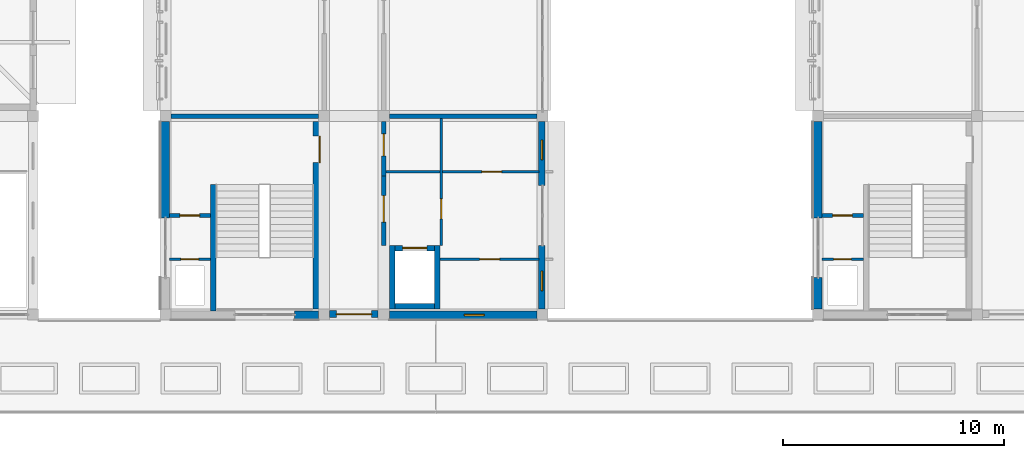
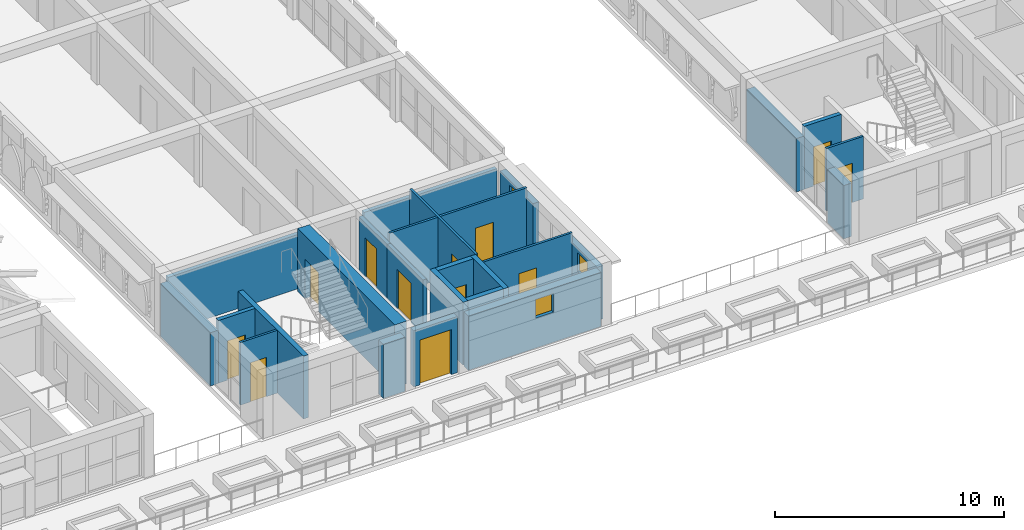
# One storey, part 45 of 82: 25 walls, 12 doors, 3 windows, 15 openings.
"""IFC4 building model written with IfcOpenShell, lengths in metres."""

from ifc_helpers import new_model, si_unit, direction, frame, frame_2d, origin, place, context, subcontext, project, spatial, rectangle, extrude, material, layer, layer_set, type_object, element, fill, save


model = new_model("IFC4")

# Units and contexts
model_context = context("Model", 3, precision=1e-05, world=origin(), true_north=direction((0.0, 1.0)))
body_context = subcontext(model_context, "Body", "Model", "MODEL_VIEW")
ifc_project = project(units=[si_unit("LENGTHUNIT", "METRE"), si_unit("AREAUNIT", "SQUARE_METRE"), si_unit("VOLUMEUNIT", "CUBIC_METRE"), si_unit("PLANEANGLEUNIT", "RADIAN"), si_unit("MASSUNIT", "GRAM", prefix="KILO")], contexts=[model_context])

# Site, building, storey
site_placement = place(None, origin())
site = spatial("IfcSite", under=ifc_project, at=site_placement, CompositionType="ELEMENT")
building_placement = place(site_placement, origin())
building = spatial("IfcBuilding", under=site, at=building_placement, Name="Elbe Cascade School", CompositionType="ELEMENT")
storey_placement = place(building_placement, frame((0.0, 0.0, 4.5)))
storey = spatial("IfcBuildingStorey", under=building, at=storey_placement, Name="L01", CompositionType="ELEMENT", Elevation=4.5)

# Wall, opening, door
ifc_material_1 = material(Name="Masonry - lime-sand block, plastered", Category="masonry")
ifc_layer_1 = layer(ifc_material_1, 0.199951171875)
ifc_layer_set_1 = layer_set([ifc_layer_1], Name="Masonry - lime-sand block, plastered")
wall_type_1 = type_object("IfcWallType", Name="Bar corridor wall lime-sand block 200 EI 30", PredefinedType="PARTITIONING", material=ifc_layer_set_1)
wall_1_placement = place(storey_placement, frame((78.89990234375, 12.300048828125, 0.0), z_axis=(0.0, 0.0, 1.0), x_axis=(0.0, -1.0, 0.0)))
wall_1 = element("IfcWall", 1, at=wall_1_placement, inside=storey, type_object=wall_type_1, Name="Bar corridor wall lime-sand block 200 EI 30", PredefinedType="PARTITIONING", context=body_context, shape_type="SweptSolid", body=[
    extrude(rectangle(XDim=3.150146484375, YDim=0.199951171875, at=frame_2d((1.5751953125, 0.0))), origin(), (0.0, 0.0, 1.0), 2.89990234375),
])
opening_1_placement = place(wall_1_placement, frame((0.89990234375, 0.0, 0.0)))
opening_1 = element("IfcOpeningElement", 2, at=opening_1_placement, cuts=wall_1, Name="Opening D1.006", PredefinedType="OPENING", context=body_context, shape_type="SweptSolid", body=[
    extrude(rectangle(XDim=1.199951171875, YDim=2.10009765625, at=frame_2d((0.60009765625, 1.050048828125))), frame((0.0, 0.10986328125, 0.0), z_axis=(0.0, -1.0, 0.0), x_axis=(1.0, 0.0, 0.0)), (0.0, 0.0, 1.0), 0.219970703125),
])
ifc_material_2 = material(Name="Timber door leaf, fire-resisting and smoke-tight, steel frame", Category="steel")
door_type_1 = type_object("IfcDoorType", Name="Bar door FD30S 1200x2100", OperationType="NOTDEFINED", PredefinedType="DOOR", material=ifc_material_2)
door_1_placement = place(opening_1_placement, origin())
door_1 = element("IfcDoor", 3, at=door_1_placement, inside=storey, type_object=door_type_1, Name="Door A1.06", OperationType="SINGLE_SWING_LEFT", OverallHeight=2.10009765625, OverallWidth=1.199951171875, PredefinedType="DOOR", context=body_context, shape_type="SweptSolid", body=[
    extrude(rectangle(XDim=1.199951171875, YDim=2.10009765625, at=frame_2d((0.60009765625, 1.050048828125))), frame((0.0, 0.02490234375, 0.0), z_axis=(0.0, -1.0, 0.0), x_axis=(1.0, 0.0, 0.0)), (0.0, 0.0, 1.0), 0.050048828125),
])
fill(opening_1, door_1)

wall_2_placement = place(storey_placement, frame((78.89990234375, 12.300048828125, 0.0), z_axis=(0.0, 0.0, 1.0), x_axis=(0.0, 1.0, 0.0)))
wall_2 = element("IfcWall", 4, at=wall_2_placement, inside=storey, type_object=wall_type_1, Name="Bar corridor wall lime-sand block 200 EI 30", PredefinedType="PARTITIONING", context=body_context, shape_type="SweptSolid", body=[
    extrude(rectangle(XDim=2.449951171875, YDim=0.199951171875, at=frame_2d((1.22509765625, 0.0))), origin(), (0.0, 0.0, 1.0), 2.89990234375),
])
opening_2_placement = place(wall_2_placement, frame((0.89990234375, 0.0, 0.0)))
opening_2 = element("IfcOpeningElement", 5, at=opening_2_placement, cuts=wall_2, Name="Opening D1.010", PredefinedType="OPENING", context=body_context, shape_type="SweptSolid", body=[
    extrude(rectangle(XDim=1.0, YDim=2.10009765625, at=frame_2d((0.5, 1.050048828125))), frame((0.0, 0.10986328125, 0.0), z_axis=(0.0, -1.0, 0.0), x_axis=(1.0, 0.0, 0.0)), (0.0, 0.0, 1.0), 0.219970703125),
])
ifc_material_3 = material(Name="Timber door leaf, fire-resisting, steel frame", Category="steel")
door_type_2 = type_object("IfcDoorType", Name="Bar door FD30 1000x2100", OperationType="NOTDEFINED", PredefinedType="DOOR", material=ifc_material_3)
door_2_placement = place(opening_2_placement, origin())
door_2 = element("IfcDoor", 6, at=door_2_placement, inside=storey, type_object=door_type_2, Name="Door A1.10", OperationType="SINGLE_SWING_RIGHT", OverallHeight=2.10009765625, OverallWidth=1.0, PredefinedType="DOOR", context=body_context, shape_type="SweptSolid", body=[
    extrude(rectangle(XDim=1.0, YDim=2.10009765625, at=frame_2d((0.5, 1.050048828125))), frame((0.0, 0.02490234375, 0.0), z_axis=(0.0, -1.0, 0.0), x_axis=(1.0, 0.0, 0.0)), (0.0, 0.0, 1.0), 0.050048828125),
])
fill(opening_2, door_2)

ifc_material_4 = material(Name="Masonry - lime-sand block, plastered", Category="masonry")
ifc_layer_2 = layer(ifc_material_4, 0.114990234375)
ifc_layer_set_2 = layer_set([ifc_layer_2], Name="Masonry - lime-sand block, plastered")
wall_type_2 = type_object("IfcWallType", Name="Bar light partition wall lime-sand block 115", PredefinedType="PARTITIONING", material=ifc_layer_set_2)
wall_3_placement = place(storey_placement, frame((71.050048828125, 8.52001953125, 0.0), z_axis=(0.0, 0.0, 1.0), x_axis=(-1.0, 0.0, 0.0)))
wall_3 = element("IfcWall", 7, at=wall_3_placement, inside=storey, type_object=wall_type_2, Name="Bar light partition wall lime-sand block 115", PredefinedType="PARTITIONING", context=body_context, shape_type="SweptSolid", body=[
    extrude(rectangle(XDim=1.8701171875, YDim=0.114990234375, at=frame_2d((0.93505859375, 0.0))), origin(), (0.0, 0.0, 1.0), 3.35009765625),
])
opening_3_placement = place(wall_3_placement, frame((0.550048828125, 0.0, 0.0)))
opening_3 = element("IfcOpeningElement", 8, at=opening_3_placement, cuts=wall_3, Name="Opening D1.002", PredefinedType="OPENING", context=body_context, shape_type="SweptSolid", body=[
    extrude(rectangle(XDim=0.800048828125, YDim=2.10009765625, at=frame_2d((0.39990234375, 1.050048828125))), frame((0.0, 0.0673828125, 0.0), z_axis=(0.0, -1.0, 0.0), x_axis=(1.0, 0.0, 0.0)), (0.0, 0.0, 1.0), 0.135009765625),
])
ifc_material_5 = material(Name="Timber door leaf, steel frame", Category="steel")
door_type_3 = type_object("IfcDoorType", Name="Bar door 800x2100", OperationType="NOTDEFINED", PredefinedType="DOOR", material=ifc_material_5)
door_3_placement = place(opening_3_placement, origin())
door_3 = element("IfcDoor", 9, at=door_3_placement, inside=storey, type_object=door_type_3, Name="Door A1.05", OperationType="SINGLE_SWING_LEFT", OverallHeight=2.10009765625, OverallWidth=0.800048828125, PredefinedType="DOOR", context=body_context, shape_type="SweptSolid", body=[
    extrude(rectangle(XDim=0.800048828125, YDim=2.10009765625, at=frame_2d((0.39990234375, 1.050048828125))), frame((0.0, 0.02490234375, 0.0), z_axis=(0.0, -1.0, 0.0), x_axis=(1.0, 0.0, 0.0)), (0.0, 0.0, 1.0), 0.050048828125),
])
fill(opening_3, door_3)

wall_4_placement = place(storey_placement, frame((81.507568359375, 14.89990234375, 0.0), z_axis=(0.0, 0.0, 1.0), x_axis=(0.0, -1.0, 0.0)))
wall_4 = element("IfcWall", 10, at=wall_4_placement, inside=storey, type_object=wall_type_2, Name="Bar light partition wall lime-sand block 115", PredefinedType="PARTITIONING", context=body_context, shape_type="SweptSolid", body=[
    extrude(rectangle(XDim=5.75, YDim=0.114990234375, at=frame_2d((2.875, 0.0))), origin(), (0.0, 0.0, 1.0), 3.35009765625),
])
opening_4_placement = place(wall_4_placement, frame((3.64990234375, 0.0, 0.0)))
opening_4 = element("IfcOpeningElement", 11, at=opening_4_placement, cuts=wall_4, Name="Opening D1.007", PredefinedType="OPENING", context=body_context, shape_type="SweptSolid", body=[
    extrude(rectangle(XDim=0.89990234375, YDim=2.10009765625, at=frame_2d((0.449951171875, 1.050048828125))), frame((0.0, 0.0673828125, 0.0), z_axis=(0.0, -1.0, 0.0), x_axis=(1.0, 0.0, 0.0)), (0.0, 0.0, 1.0), 0.135009765625),
])
ifc_material_6 = material(Name="Timber door leaf, steel frame", Category="steel")
door_type_4 = type_object("IfcDoorType", Name="Bar door 900x2100", OperationType="NOTDEFINED", PredefinedType="DOOR", material=ifc_material_6)
door_4_placement = place(opening_4_placement, origin())
door_4 = element("IfcDoor", 12, at=door_4_placement, inside=storey, type_object=door_type_4, Name="Door A1.07", OperationType="SINGLE_SWING_LEFT", OverallHeight=2.10009765625, OverallWidth=0.89990234375, PredefinedType="DOOR", context=body_context, shape_type="SweptSolid", body=[
    extrude(rectangle(XDim=0.89990234375, YDim=2.10009765625, at=frame_2d((0.449951171875, 1.050048828125))), frame((0.0, 0.02490234375, 0.0), z_axis=(0.0, -1.0, 0.0), x_axis=(1.0, 0.0, 0.0)), (0.0, 0.0, 1.0), 0.050048828125),
])
fill(opening_4, door_4)

wall_5_placement = place(storey_placement, frame((85.949951171875, 8.52001953125, 0.0), z_axis=(0.0, 0.0, 1.0), x_axis=(-1.0, 0.0, 0.0)))
wall_5 = element("IfcWall", 13, at=wall_5_placement, inside=storey, type_object=wall_type_2, Name="Bar light partition wall lime-sand block 115", PredefinedType="PARTITIONING", context=body_context, shape_type="SweptSolid", body=[
    extrude(rectangle(XDim=4.5, YDim=0.114990234375, at=frame_2d((2.25, 0.0))), origin(), (0.0, 0.0, 1.0), 3.35009765625),
])
opening_5_placement = place(wall_5_placement, frame((1.800048828125, 0.0, 0.0)))
opening_5 = element("IfcOpeningElement", 14, at=opening_5_placement, cuts=wall_5, Name="Opening D1.003", PredefinedType="OPENING", context=body_context, shape_type="SweptSolid", body=[
    extrude(rectangle(XDim=0.89990234375, YDim=2.10009765625, at=frame_2d((0.449951171875, 1.050048828125))), frame((0.0, 0.0673828125, 0.0), z_axis=(0.0, -1.0, 0.0), x_axis=(1.0, 0.0, 0.0)), (0.0, 0.0, 1.0), 0.135009765625),
])
door_5_placement = place(opening_5_placement, origin())
door_5 = element("IfcDoor", 15, at=door_5_placement, inside=storey, type_object=door_type_4, Name="Door A1.08", OperationType="SINGLE_SWING_LEFT", OverallHeight=2.10009765625, OverallWidth=0.89990234375, PredefinedType="DOOR", context=body_context, shape_type="SweptSolid", body=[
    extrude(rectangle(XDim=0.89990234375, YDim=2.10009765625, at=frame_2d((0.449951171875, 1.050048828125))), frame((0.0, 0.02490234375, 0.0), z_axis=(0.0, -1.0, 0.0), x_axis=(1.0, 0.0, 0.0)), (0.0, 0.0, 1.0), 0.050048828125),
])
fill(opening_5, door_5)

wall_6_placement = place(storey_placement, frame((79.0, 12.47998046875, 0.0), z_axis=(0.0, 0.0, 1.0), x_axis=(1.0, 0.0, 0.0)))
wall_6 = element("IfcWall", 16, at=wall_6_placement, inside=storey, type_object=wall_type_2, Name="Bar light partition wall lime-sand block 115", PredefinedType="PARTITIONING", context=body_context, shape_type="SweptSolid", body=[
    extrude(rectangle(XDim=6.949951171875, YDim=0.114990234375, at=frame_2d((3.47509765625, 0.0))), origin(), (0.0, 0.0, 1.0), 3.35009765625),
])
opening_6_placement = place(wall_6_placement, frame((4.35009765625, 0.0, 0.0)))
opening_6 = element("IfcOpeningElement", 17, at=opening_6_placement, cuts=wall_6, Name="Opening D1.008", PredefinedType="OPENING", context=body_context, shape_type="SweptSolid", body=[
    extrude(rectangle(XDim=0.89990234375, YDim=2.10009765625, at=frame_2d((0.449951171875, 1.050048828125))), frame((0.0, 0.0673828125, 0.0), z_axis=(0.0, -1.0, 0.0), x_axis=(1.0, 0.0, 0.0)), (0.0, 0.0, 1.0), 0.135009765625),
])
door_6_placement = place(opening_6_placement, origin())
door_6 = element("IfcDoor", 18, at=door_6_placement, inside=storey, type_object=door_type_4, Name="Door A1.09", OperationType="SINGLE_SWING_RIGHT", OverallHeight=2.10009765625, OverallWidth=0.89990234375, PredefinedType="DOOR", context=body_context, shape_type="SweptSolid", body=[
    extrude(rectangle(XDim=0.89990234375, YDim=2.10009765625, at=frame_2d((0.449951171875, 1.050048828125))), frame((0.0, 0.02490234375, 0.0), z_axis=(0.0, -1.0, 0.0), x_axis=(1.0, 0.0, 0.0)), (0.0, 0.0, 1.0), 0.050048828125),
])
fill(opening_6, door_6)

wall_7_placement = place(storey_placement, frame((100.64990234375, 8.52001953125, 0.0), z_axis=(0.0, 0.0, 1.0), x_axis=(-1.0, 0.0, 0.0)))
wall_7 = element("IfcWall", 19, at=wall_7_placement, inside=storey, type_object=wall_type_2, Name="Bar light partition wall lime-sand block 115", PredefinedType="PARTITIONING", context=body_context, shape_type="SweptSolid", body=[
    extrude(rectangle(XDim=1.869873046875, YDim=0.114990234375, at=frame_2d((0.93505859375, 0.0))), origin(), (0.0, 0.0, 1.0), 3.35009765625),
])
opening_7_placement = place(wall_7_placement, frame((0.550048828125, 0.0, 0.0)))
opening_7 = element("IfcOpeningElement", 20, at=opening_7_placement, cuts=wall_7, Name="Opening D1.030", PredefinedType="OPENING", context=body_context, shape_type="SweptSolid", body=[
    extrude(rectangle(XDim=0.800048828125, YDim=2.10009765625, at=frame_2d((0.39990234375, 1.050048828125))), frame((0.0, 0.0673828125, 0.0), z_axis=(0.0, -1.0, 0.0), x_axis=(1.0, 0.0, 0.0)), (0.0, 0.0, 1.0), 0.135009765625),
])
door_7_placement = place(opening_7_placement, origin())
door_7 = element("IfcDoor", 21, at=door_7_placement, inside=storey, type_object=door_type_3, Name="Door B1.05", OperationType="SINGLE_SWING_LEFT", OverallHeight=2.10009765625, OverallWidth=0.800048828125, PredefinedType="DOOR", context=body_context, shape_type="SweptSolid", body=[
    extrude(rectangle(XDim=0.800048828125, YDim=2.10009765625, at=frame_2d((0.39990234375, 1.050048828125))), frame((0.0, 0.02490234375, 0.0), z_axis=(0.0, -1.0, 0.0), x_axis=(1.0, 0.0, 0.0)), (0.0, 0.0, 1.0), 0.050048828125),
])
fill(opening_7, door_7)

# Walls
ifc_material_7 = material(Name="Masonry - lime-sand block, plastered", Category="masonry")
ifc_layer_3 = layer(ifc_material_7, 0.199951171875)
ifc_layer_set_3 = layer_set([ifc_layer_3], Name="Masonry - lime-sand block, plastered")
wall_type_3 = type_object("IfcWallType", Name="Bar partition wall lime-sand block 200", PredefinedType="PARTITIONING", material=ifc_layer_set_3)
wall_8_placement = place(storey_placement, frame((79.14990234375, 15.0, 0.0), z_axis=(0.0, 0.0, 1.0), x_axis=(1.0, 0.0, 0.0)))
element("IfcWall", 22, at=wall_8_placement, inside=storey, type_object=wall_type_3, Name="Bar partition wall lime-sand block 200", PredefinedType="PARTITIONING", context=body_context, shape_type="SweptSolid", body=[
    extrude(rectangle(XDim=6.7001953125, YDim=0.199951171875, at=frame_2d((3.35009765625, 0.0))), origin(), (0.0, 0.0, 1.0), 2.89990234375),
])
ifc_material_8 = material(Name="Concrete C30/37", Category="concrete")
ifc_layer_4 = layer(ifc_material_8, 0.25)
ifc_layer_set_4 = layer_set([ifc_layer_4], Name="Concrete C30/37")
wall_type_4 = type_object("IfcWallType", Name="Bar stair core wall RC 250", PredefinedType="SOLIDWALL", material=ifc_layer_set_4)
wall_9_placement = place(storey_placement, frame((71.175048828125, 6.179931640625, 0.0), z_axis=(0.0, 0.0, 1.0), x_axis=(0.0, 1.0, 0.0)))
element("IfcWall", 23, at=wall_9_placement, inside=storey, type_object=wall_type_4, Name="Bar stair core wall RC 250", PredefinedType="SOLIDWALL", context=body_context, shape_type="SweptSolid", body=[
    extrude(rectangle(XDim=5.719970703125, YDim=0.25, at=frame_2d((2.85986328125, 0.0))), origin(), (0.0, 0.0, 1.0), 3.35009765625),
])

# Wall, opening, door
ifc_material_9 = material(Name="Concrete C30/37", Category="concrete")
ifc_layer_5 = layer(ifc_material_9, 0.60009765625)
ifc_layer_set_5 = layer_set([ifc_layer_5], Name="Concrete C30/37")
wall_type_5 = type_object("IfcWallType", Name="Bar stair core wall RC 600", PredefinedType="SOLIDWALL", material=ifc_layer_set_5)
wall_10_placement = place(storey_placement, frame((76.0, 6.25, 0.0), z_axis=(0.0, 0.0, 1.0), x_axis=(0.0, 1.0, 0.0)))
wall_10 = element("IfcWall", 24, at=wall_10_placement, inside=storey, type_object=wall_type_5, Name="Bar stair core wall RC 600", PredefinedType="SOLIDWALL", context=body_context, shape_type="SweptSolid", body=[
    extrude(rectangle(XDim=8.5, YDim=0.60009765625, at=frame_2d((4.25, 0.0))), origin(), (0.0, 0.0, 1.0), 3.35009765625),
])
opening_8_placement = place(wall_10_placement, frame((6.64990234375, 0.0, 0.0)))
opening_8 = element("IfcOpeningElement", 25, at=opening_8_placement, cuts=wall_10, Name="Opening D1.009", PredefinedType="OPENING", context=body_context, shape_type="SweptSolid", body=[
    extrude(rectangle(XDim=1.199951171875, YDim=2.10009765625, at=frame_2d((0.60009765625, 1.050048828125))), frame((0.0, 0.31005859375, 0.0), z_axis=(0.0, -1.0, 0.0), x_axis=(1.0, 0.0, 0.0)), (0.0, 0.0, 1.0), 0.6201171875),
])
door_8_placement = place(opening_8_placement, origin())
door_8 = element("IfcDoor", 26, at=door_8_placement, inside=storey, type_object=door_type_1, Name="Door A1.03", OperationType="SINGLE_SWING_RIGHT", OverallHeight=2.10009765625, OverallWidth=1.199951171875, PredefinedType="DOOR", context=body_context, shape_type="SweptSolid", body=[
    extrude(rectangle(XDim=1.199951171875, YDim=2.10009765625, at=frame_2d((0.60009765625, 1.050048828125))), frame((0.0, 0.02490234375, 0.0), z_axis=(0.0, -1.0, 0.0), x_axis=(1.0, 0.0, 0.0)), (0.0, 0.0, 1.0), 0.050048828125),
])
fill(opening_8, door_8)

ifc_material_10 = material(Name="Concrete C30/37", Category="concrete")
ifc_layer_6 = layer(ifc_material_10, 0.199951171875)
ifc_layer_set_6 = layer_set([ifc_layer_6], Name="Concrete C30/37")
wall_type_6 = type_object("IfcWallType", Name="Bar stair lobby wall RC 200", PredefinedType="SOLIDWALL", material=ifc_layer_set_6)
wall_11_placement = place(storey_placement, frame((71.050048828125, 10.5, 0.0), z_axis=(0.0, 0.0, 1.0), x_axis=(-1.0, 0.0, 0.0)))
wall_11 = element("IfcWall", 27, at=wall_11_placement, inside=storey, type_object=wall_type_6, Name="Bar stair lobby wall RC 200", PredefinedType="SOLIDWALL", context=body_context, shape_type="SweptSolid", body=[
    extrude(rectangle(XDim=1.8701171875, YDim=0.199951171875, at=frame_2d((0.93505859375, 0.0))), origin(), (0.0, 0.0, 1.0), 3.35009765625),
])
opening_9_placement = place(wall_11_placement, frame((0.5, 0.0, 0.0)))
opening_9 = element("IfcOpeningElement", 28, at=opening_9_placement, cuts=wall_11, Name="Opening D1.005", PredefinedType="OPENING", context=body_context, shape_type="SweptSolid", body=[
    extrude(rectangle(XDim=0.89990234375, YDim=2.10009765625, at=frame_2d((0.449951171875, 1.050048828125))), frame((0.0, 0.10986328125, 0.0), z_axis=(0.0, -1.0, 0.0), x_axis=(1.0, 0.0, 0.0)), (0.0, 0.0, 1.0), 0.219970703125),
])
ifc_material_11 = material(Name="Timber door leaf, fire-resisting and smoke-tight, steel frame", Category="steel")
door_type_5 = type_object("IfcDoorType", Name="Bar door FD30S 900x2100", OperationType="NOTDEFINED", PredefinedType="DOOR", material=ifc_material_11)
door_9_placement = place(opening_9_placement, origin())
door_9 = element("IfcDoor", 29, at=door_9_placement, inside=storey, type_object=door_type_5, Name="Door A1.04", OperationType="SINGLE_SWING_RIGHT", OverallHeight=2.10009765625, OverallWidth=0.89990234375, PredefinedType="DOOR", context=body_context, shape_type="SweptSolid", body=[
    extrude(rectangle(XDim=0.89990234375, YDim=2.10009765625, at=frame_2d((0.449951171875, 1.050048828125))), frame((0.0, 0.02490234375, 0.0), z_axis=(0.0, -1.0, 0.0), x_axis=(1.0, 0.0, 0.0)), (0.0, 0.0, 1.0), 0.050048828125),
])
fill(opening_9, door_9)

# Wall
wall_12_placement = place(storey_placement, frame((69.25, 15.0, 0.0), z_axis=(0.0, 0.0, 1.0), x_axis=(1.0, 0.0, 0.0)))
element("IfcWall", 30, at=wall_12_placement, inside=storey, type_object=wall_type_6, Name="Bar stair lobby wall RC 200", PredefinedType="SOLIDWALL", context=body_context, shape_type="SweptSolid", body=[
    extrude(rectangle(XDim=6.699951171875, YDim=0.199951171875, at=frame_2d((3.35009765625, 0.0))), origin(), (0.0, 0.0, 1.0), 2.89990234375),
])

# Wall, opening, door
wall_13_placement = place(storey_placement, frame((100.64990234375, 10.5, 0.0), z_axis=(0.0, 0.0, 1.0), x_axis=(-1.0, 0.0, 0.0)))
wall_13 = element("IfcWall", 31, at=wall_13_placement, inside=storey, type_object=wall_type_6, Name="Bar stair lobby wall RC 200", PredefinedType="SOLIDWALL", context=body_context, shape_type="SweptSolid", body=[
    extrude(rectangle(XDim=1.869873046875, YDim=0.199951171875, at=frame_2d((0.93505859375, 0.0))), origin(), (0.0, 0.0, 1.0), 3.35009765625),
])
opening_10_placement = place(wall_13_placement, frame((0.5, 0.0, 0.0)))
opening_10 = element("IfcOpeningElement", 32, at=opening_10_placement, cuts=wall_13, Name="Opening D1.033", PredefinedType="OPENING", context=body_context, shape_type="SweptSolid", body=[
    extrude(rectangle(XDim=0.89990234375, YDim=2.10009765625, at=frame_2d((0.449951171875, 1.050048828125))), frame((0.0, 0.10986328125, 0.0), z_axis=(0.0, -1.0, 0.0), x_axis=(1.0, 0.0, 0.0)), (0.0, 0.0, 1.0), 0.219970703125),
])
door_10_placement = place(opening_10_placement, origin())
door_10 = element("IfcDoor", 33, at=door_10_placement, inside=storey, type_object=door_type_5, Name="Door B1.04", OperationType="SINGLE_SWING_RIGHT", OverallHeight=2.10009765625, OverallWidth=0.89990234375, PredefinedType="DOOR", context=body_context, shape_type="SweptSolid", body=[
    extrude(rectangle(XDim=0.89990234375, YDim=2.10009765625, at=frame_2d((0.449951171875, 1.050048828125))), frame((0.0, 0.02490234375, 0.0), z_axis=(0.0, -1.0, 0.0), x_axis=(1.0, 0.0, 0.0)), (0.0, 0.0, 1.0), 0.050048828125),
])
fill(opening_10, door_10)

# Wall, opening, window
ifc_material_12 = material(Name="Brick masonry - red clinker, cavity wall with render backing", Category="masonry")
ifc_layer_7 = layer(ifc_material_12, 0.300048828125)
ifc_layer_set_7 = layer_set([ifc_layer_7], Name="Brick masonry - red clinker, cavity wall with render backing")
wall_type_7 = type_object("IfcWallType", Name="Bars envelope External wall - clinker brick cavity, 300 upper floors", PredefinedType="STANDARD", material=ifc_layer_set_7)
wall_14_placement = place(storey_placement, frame((86.070068359375, 9.14990234375, 0.0), z_axis=(0.0, 0.0, 1.0), x_axis=(0.0, -1.0, 0.0)))
wall_14 = element("IfcWall", 34, at=wall_14_placement, inside=storey, type_object=wall_type_7, Name="External wall W30 A.L01.e1a", PredefinedType="STANDARD", context=body_context, shape_type="SweptSolid", body=[
    extrude(rectangle(XDim=2.89990234375, YDim=0.300048828125, at=frame_2d((1.449951171875, 0.0))), origin(), (0.0, 0.0, 1.0), 2.85009765625),
])
opening_11_placement = place(wall_14_placement, frame((1.169921875, 0.0, 1.60009765625)))
opening_11 = element("IfcOpeningElement", 35, at=opening_11_placement, cuts=wall_14, Name="Opening W1.002", PredefinedType="OPENING", context=body_context, shape_type="SweptSolid", body=[
    extrude(rectangle(XDim=0.89990234375, YDim=1.0, at=frame_2d((0.449951171875, 0.5))), frame((0.0, 0.159912109375, 0.0), z_axis=(0.0, -1.0, 0.0), x_axis=(1.0, 0.0, 0.0)), (0.0, 0.0, 1.0), 0.320068359375),
])
ifc_material_13 = material(Name="Aluminium frame with double glazing, bronze anodised", Category="aluminium")
window_type = type_object("IfcWindowType", Name="Bars envelope Window 900 x 1000, WC and service room, high level, aluminium double glazed", PartitioningType="SINGLE_PANEL", PredefinedType="WINDOW", material=ifc_material_13)
window_1_placement = place(opening_11_placement, origin())
window_1 = element("IfcWindow", 36, at=window_1_placement, inside=storey, type_object=window_type, Name="Window WN4 A.L01.e1a.1", OverallHeight=1.0, OverallWidth=0.89990234375, PartitioningType="SINGLE_PANEL", PredefinedType="WINDOW", context=body_context, shape_type="SweptSolid", body=[
    extrude(rectangle(XDim=0.89990234375, YDim=1.0, at=frame_2d((0.449951171875, 0.5))), frame((0.0, 0.030029296875, 0.0), z_axis=(0.0, -1.0, 0.0), x_axis=(1.0, 0.0, 0.0)), (0.0, 0.0, 1.0), 0.06005859375),
])
fill(opening_11, window_1)

wall_15_placement = place(storey_placement, frame((86.070068359375, 14.75, 0.0), z_axis=(0.0, 0.0, 1.0), x_axis=(0.0, -1.0, 0.0)))
wall_15 = element("IfcWall", 37, at=wall_15_placement, inside=storey, type_object=wall_type_7, Name="External wall W30 A.L01.e1b", PredefinedType="STANDARD", context=body_context, shape_type="SweptSolid", body=[
    extrude(rectangle(XDim=2.89990234375, YDim=0.300048828125, at=frame_2d((1.449951171875, 0.0))), origin(), (0.0, 0.0, 1.0), 2.85009765625),
])
opening_12_placement = place(wall_15_placement, frame((0.830078125, 0.0, 1.60009765625)))
opening_12 = element("IfcOpeningElement", 38, at=opening_12_placement, cuts=wall_15, Name="Opening W1.003", PredefinedType="OPENING", context=body_context, shape_type="SweptSolid", body=[
    extrude(rectangle(XDim=0.89990234375, YDim=1.0, at=frame_2d((0.449951171875, 0.5))), frame((0.0, 0.159912109375, 0.0), z_axis=(0.0, -1.0, 0.0), x_axis=(1.0, 0.0, 0.0)), (0.0, 0.0, 1.0), 0.320068359375),
])
window_2_placement = place(opening_12_placement, origin())
window_2 = element("IfcWindow", 39, at=window_2_placement, inside=storey, type_object=window_type, Name="Window WN4 A.L01.e1b.1", OverallHeight=1.0, OverallWidth=0.89990234375, PartitioningType="SINGLE_PANEL", PredefinedType="WINDOW", context=body_context, shape_type="SweptSolid", body=[
    extrude(rectangle(XDim=0.89990234375, YDim=1.0, at=frame_2d((0.449951171875, 0.5))), frame((0.0, 0.030029296875, 0.0), z_axis=(0.0, -1.0, 0.0), x_axis=(1.0, 0.0, 0.0)), (0.0, 0.0, 1.0), 0.06005859375),
])
fill(opening_12, window_2)

# Wall, opening, door
wall_16_placement = place(storey_placement, frame((78.64990234375, 6.030029296875, 0.0), z_axis=(0.0, 0.0, 1.0), x_axis=(-1.0, 0.0, 0.0)))
wall_16 = element("IfcWall", 40, at=wall_16_placement, inside=storey, type_object=wall_type_7, Name="External wall W30 A.L01.s2", PredefinedType="STANDARD", context=body_context, shape_type="SweptSolid", body=[
    extrude(rectangle(XDim=2.199951171875, YDim=0.300048828125, at=frame_2d((1.10009765625, 0.0))), origin(), (0.0, 0.0, 1.0), 3.0),
])
opening_13_placement = place(wall_16_placement, frame((0.300048828125, 0.0, 0.0)))
opening_13 = element("IfcOpeningElement", 41, at=opening_13_placement, cuts=wall_16, Name="Opening D1.001", PredefinedType="OPENING", context=body_context, shape_type="SweptSolid", body=[
    extrude(rectangle(XDim=1.60009765625, YDim=2.39990234375, at=frame_2d((0.800048828125, 1.199951171875))), frame((0.0, 0.159912109375, 0.0), z_axis=(0.0, -1.0, 0.0), x_axis=(1.0, 0.0, 0.0)), (0.0, 0.0, 1.0), 0.320068359375),
])
ifc_material_14 = material(Name="Aluminium and glass fire-resisting door set", Category="aluminium")
door_type_6 = type_object("IfcDoorType", Name="Bars envelope Terrace door, double leaf, glazed, 1600 x 2400, fire resisting", OperationType="DOUBLE_DOOR_SINGLE_SWING", PredefinedType="DOOR", material=ifc_material_14)
door_11_placement = place(opening_13_placement, origin())
door_11 = element("IfcDoor", 42, at=door_11_placement, inside=storey, type_object=door_type_6, Name="Terrace door D17 A.L01.s2", OperationType="DOUBLE_DOOR_SINGLE_SWING", OverallHeight=2.39990234375, OverallWidth=1.60009765625, PredefinedType="DOOR", context=body_context, shape_type="SweptSolid", body=[
    extrude(rectangle(XDim=1.60009765625, YDim=2.39990234375, at=frame_2d((0.800048828125, 1.199951171875))), frame((0.0, 0.02490234375, 0.0), z_axis=(0.0, -1.0, 0.0), x_axis=(1.0, 0.0, 0.0)), (0.0, 0.0, 1.0), 0.050048828125),
])
fill(opening_13, door_11)

# Walls
ifc_material_15 = material(Name="Brick masonry - red clinker, solid, sandstone-faced", Category="masonry")
ifc_layer_8 = layer(ifc_material_15, 0.39990234375)
ifc_layer_set_8 = layer_set([ifc_layer_8], Name="Brick masonry - red clinker, solid, sandstone-faced")
wall_type_8 = type_object("IfcWallType", Name="Bars envelope External wall - solid masonry core strip, sandstone faced, 400", PredefinedType="STANDARD", material=ifc_layer_set_8)
wall_17_placement = place(storey_placement, frame((68.97998046875, 10.389892578125, 0.0), z_axis=(0.0, 0.0, 1.0), x_axis=(0.0, 1.0, 0.0)))
element("IfcWall", 43, at=wall_17_placement, inside=storey, type_object=wall_type_8, Name="External wall W31 A.L01.w1b", PredefinedType="STANDARD", context=body_context, shape_type="SweptSolid", body=[
    extrude(rectangle(XDim=4.360107421875, YDim=0.39990234375, at=frame_2d((2.18017578125, 0.0))), origin(), (0.0, 0.0, 1.0), 2.85009765625),
])
wall_18_placement = place(storey_placement, frame((75.949951171875, 5.97998046875, 0.0), z_axis=(0.0, 0.0, 1.0), x_axis=(-1.0, 0.0, 0.0)))
element("IfcWall", 44, at=wall_18_placement, inside=storey, type_object=wall_type_8, Name="External wall W31 A.L01.s1b", PredefinedType="STANDARD", context=body_context, shape_type="SweptSolid", body=[
    extrude(rectangle(XDim=1.099853515625, YDim=0.39990234375, at=frame_2d((0.5498046875, 0.0))), origin(), (0.0, 0.0, 1.0), 2.89990234375),
])

# Wall, opening, window
wall_19_placement = place(storey_placement, frame((85.85009765625, 5.97998046875, 0.0), z_axis=(0.0, 0.0, 1.0), x_axis=(-1.0, 0.0, 0.0)))
wall_19 = element("IfcWall", 45, at=wall_19_placement, inside=storey, type_object=wall_type_8, Name="External wall W31 A.L01.s3", PredefinedType="STANDARD", context=body_context, shape_type="SweptSolid", body=[
    extrude(rectangle(XDim=6.7001953125, YDim=0.39990234375, at=frame_2d((3.35009765625, 0.0))), origin(), (0.0, 0.0, 1.0), 2.89990234375),
])
opening_14_placement = place(wall_19_placement, frame((2.39990234375, 0.0, 1.60009765625)))
opening_14 = element("IfcOpeningElement", 46, at=opening_14_placement, cuts=wall_19, Name="Opening W1.001", PredefinedType="OPENING", context=body_context, shape_type="SweptSolid", body=[
    extrude(rectangle(XDim=0.89990234375, YDim=1.0, at=frame_2d((0.449951171875, 0.5))), frame((0.0, 0.2099609375, 0.0), z_axis=(0.0, -1.0, 0.0), x_axis=(1.0, 0.0, 0.0)), (0.0, 0.0, 1.0), 0.419921875),
])
window_3_placement = place(opening_14_placement, origin())
window_3 = element("IfcWindow", 47, at=window_3_placement, inside=storey, type_object=window_type, Name="Window WN4 A.L01.s3.1", OverallHeight=1.0, OverallWidth=0.89990234375, PartitioningType="SINGLE_PANEL", PredefinedType="WINDOW", context=body_context, shape_type="SweptSolid", body=[
    extrude(rectangle(XDim=0.89990234375, YDim=1.0, at=frame_2d((0.449951171875, 0.5))), frame((0.0, 0.030029296875, 0.0), z_axis=(0.0, -1.0, 0.0), x_axis=(1.0, 0.0, 0.0)), (0.0, 0.0, 1.0), 0.06005859375),
])
fill(opening_14, window_3)

# Walls
wall_20_placement = place(storey_placement, frame((98.580078125, 6.25, 0.0), z_axis=(0.0, 0.0, 1.0), x_axis=(0.0, 1.0, 0.0)))
element("IfcWall", 48, at=wall_20_placement, inside=storey, type_object=wall_type_8, Name="External wall W31 B.L01.w1a", PredefinedType="STANDARD", context=body_context, shape_type="SweptSolid", body=[
    extrude(rectangle(XDim=1.43994140625, YDim=0.39990234375, at=frame_2d((0.719970703125, 0.0))), origin(), (0.0, 0.0, 1.0), 2.85009765625),
])
wall_21_placement = place(storey_placement, frame((98.580078125, 10.389892578125, 0.0), z_axis=(0.0, 0.0, 1.0), x_axis=(0.0, 1.0, 0.0)))
element("IfcWall", 49, at=wall_21_placement, inside=storey, type_object=wall_type_8, Name="External wall W31 B.L01.w1b", PredefinedType="STANDARD", context=body_context, shape_type="SweptSolid", body=[
    extrude(rectangle(XDim=4.360107421875, YDim=0.39990234375, at=frame_2d((2.18017578125, 0.0))), origin(), (0.0, 0.0, 1.0), 2.85009765625),
])
ifc_material_16 = material(Name="Concrete C30/37", Category="concrete")
ifc_layer_9 = layer(ifc_material_16, 0.25)
ifc_layer_set_9 = layer_set([ifc_layer_9], Name="Concrete C30/37")
wall_type_9 = type_object("IfcWallType", Name="Shaft wall 250", PredefinedType="SHEAR", material=ifc_layer_set_9)
for number, where, z_axis, x_axis, name in (
    (50, (79.27490234375, 6.25, 0.0), (0.0, 0.0, 1.0), (0.0, 1.0, 0.0), "Shaft wall 250 W1"),
    (51, (81.324951171875, 6.25, 0.0), (0.0, 0.0, 1.0), (0.0, 1.0, 0.0), "Shaft wall 250 W1"),
):
    element("IfcWall", number, at=place(storey_placement, frame(where, z_axis=z_axis, x_axis=x_axis)), inside=storey, type_object=wall_type_9, Name=name, PredefinedType="SHEAR", context=body_context, shape_type="SweptSolid", body=[
        extrude(rectangle(XDim=2.89990234375, YDim=0.25, at=frame_2d((1.449951171875, 0.0))), origin(), (0.0, 0.0, 1.0), 3.35009765625),
    ])
wall_22_placement = place(storey_placement, frame((79.39990234375, 6.375, 0.0), z_axis=(0.0, 0.0, 1.0), x_axis=(1.0, 0.0, 0.0)))
element("IfcWall", 52, at=wall_22_placement, inside=storey, type_object=wall_type_9, Name="Shaft wall 250 W1", PredefinedType="SHEAR", context=body_context, shape_type="SweptSolid", body=[
    extrude(rectangle(XDim=1.800048828125, YDim=0.25, at=frame_2d((0.89990234375, 0.0))), origin(), (0.0, 0.0, 1.0), 3.35009765625),
])

# Wall, opening, door
wall_23_placement = place(storey_placement, frame((79.39990234375, 9.02490234375, 0.0), z_axis=(0.0, 0.0, 1.0), x_axis=(1.0, 0.0, 0.0)))
wall_23 = element("IfcWall", 53, at=wall_23_placement, inside=storey, type_object=wall_type_9, Name="Shaft wall 250 W1", PredefinedType="SHEAR", context=body_context, shape_type="SweptSolid", body=[
    extrude(rectangle(XDim=1.800048828125, YDim=0.25, at=frame_2d((0.89990234375, 0.0))), origin(), (0.0, 0.0, 1.0), 3.35009765625),
])
opening_15_placement = place(wall_23_placement, frame((0.35009765625, 0.0, 0.0)))
opening_15 = element("IfcOpeningElement", 54, at=opening_15_placement, cuts=wall_23, Name="Opening D1.004", PredefinedType="OPENING", context=body_context, shape_type="SweptSolid", body=[
    extrude(rectangle(XDim=1.10009765625, YDim=2.10009765625, at=frame_2d((0.550048828125, 1.050048828125))), frame((0.0, 0.135009765625, 0.0), z_axis=(0.0, -1.0, 0.0), x_axis=(1.0, 0.0, 0.0)), (0.0, 0.0, 1.0), 0.27001953125),
])
ifc_material_17 = material(Name="Stainless steel sliding door leaf", Category="steel")
door_type_7 = type_object("IfcDoorType", Name="Bar lift landing door 1100x2100", OperationType="SLIDING_TO_LEFT", PredefinedType="DOOR", material=ifc_material_17)
door_12_placement = place(opening_15_placement, origin())
door_12 = element("IfcDoor", 55, at=door_12_placement, inside=storey, type_object=door_type_7, Name="Lift landing door LDA1.1", OperationType="SLIDING_TO_LEFT", OverallHeight=2.10009765625, OverallWidth=1.10009765625, PredefinedType="DOOR", context=body_context, shape_type="SweptSolid", body=[
    extrude(rectangle(XDim=1.10009765625, YDim=2.10009765625, at=frame_2d((0.550048828125, 1.050048828125))), frame((0.0, 0.02490234375, 0.0), z_axis=(0.0, -1.0, 0.0), x_axis=(1.0, 0.0, 0.0)), (0.0, 0.0, 1.0), 0.050048828125),
])
fill(opening_15, door_12)

save(model, "model.ifc")
